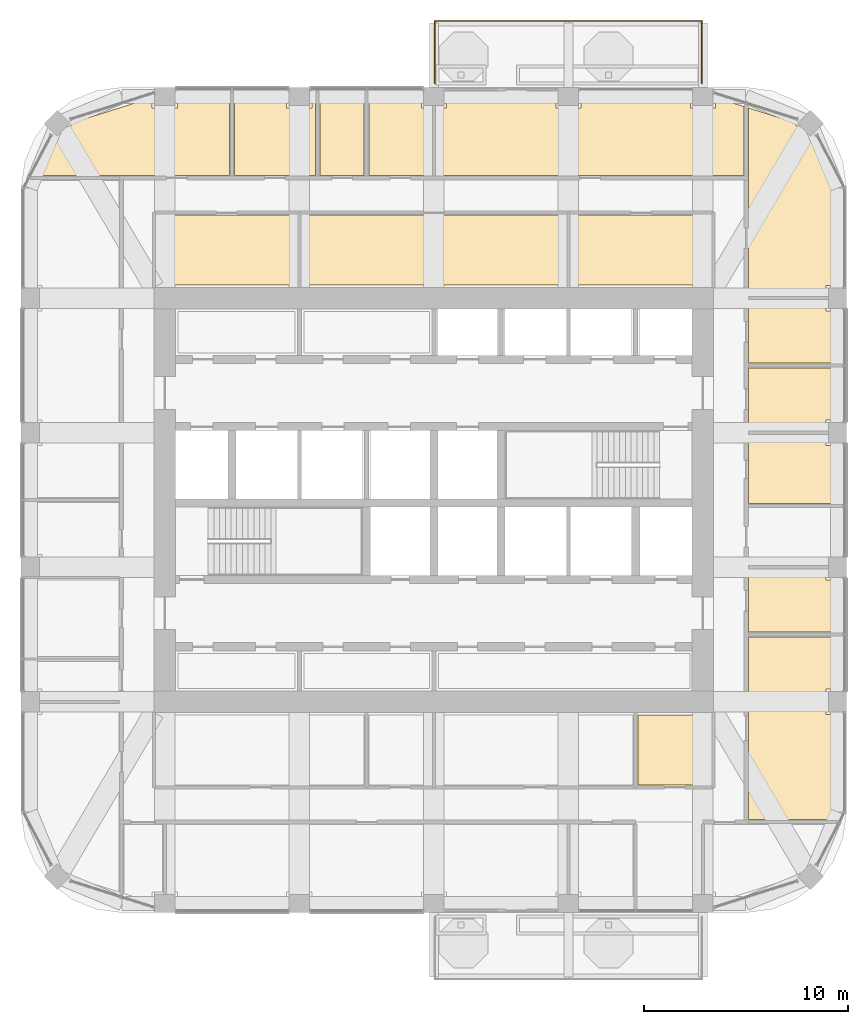
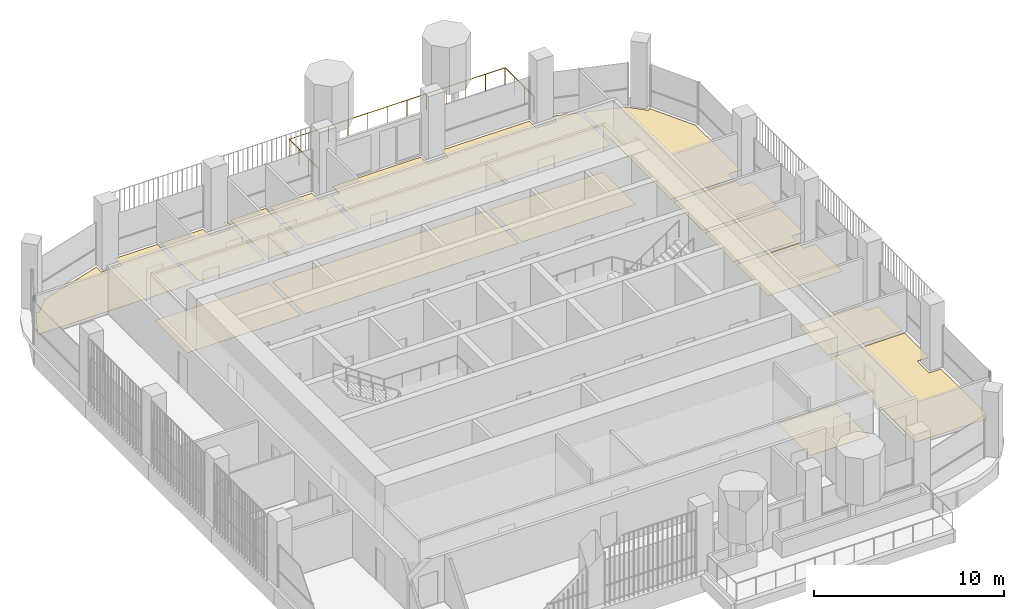
# One storey, part 20 of 21: 15 coverings, 1 railing.
"""IFC4 building model written with IfcOpenShell, lengths in metres."""

from ifc_helpers import new_model, si_unit, direction, frame, origin, place, context, subcontext, project, spatial, polyline, outline, extrude, material, layer, layer_set, type_object, element, save


model = new_model("IFC4")

# Units and contexts
model_context = context("Model", 3, precision=1e-05, world=origin(), true_north=direction((0.0, 1.0)))
body_context = subcontext(model_context, "Body", "Model", "MODEL_VIEW")
ifc_project = project(units=[si_unit("LENGTHUNIT", "METRE"), si_unit("AREAUNIT", "SQUARE_METRE"), si_unit("VOLUMEUNIT", "CUBIC_METRE"), si_unit("PLANEANGLEUNIT", "RADIAN"), si_unit("MASSUNIT", "GRAM", prefix="KILO")], contexts=[model_context])

# Site, building, storey
site_placement = place(None, origin())
site = spatial("IfcSite", under=ifc_project, at=site_placement, CompositionType="ELEMENT")
building_placement = place(site_placement, origin())
building = spatial("IfcBuilding", under=site, at=building_placement, Name="Cobogo Forest Laboratory Tower", CompositionType="ELEMENT")
storey_placement = place(building_placement, frame((0.0, 0.0, 275.39990234375)))
storey = spatial("IfcBuildingStorey", under=building, at=storey_placement, Name="L63", CompositionType="ELEMENT", Elevation=275.39990234375)

# Railing
ifc_material_1 = material(Name="Laminated glass balustrade", Category="glass")
railing_type = type_object("IfcRailingType", Name="BG1 glass balustrade 1100", PredefinedType="GUARDRAIL", material=ifc_material_1)
railing_placement = place(storey_placement, frame((26.449951171875, 43.550048828125, 0.0)))
element("IfcRailing", 1, at=railing_placement, inside=storey, type_object=railing_type, Name="Balcony balustrade BAL-N1 L63", PredefinedType="GUARDRAIL", context=body_context, shape_type="SweptSolid", body=[
    extrude(outline(polyline([(0.022216796875, 0.00927734375), (0.00927734375, 0.022216796875), (-0.00927734375, 0.022216796875), (-0.022216796875, 0.00927734375), (-0.022216796875, -0.00927734375), (-0.00927734375, -0.022216796875), (0.00927734375, -0.022216796875), (0.022216796875, -0.00927734375), (0.022216796875, 0.00927734375)])), frame((0.0, 0.0, 1.077880859375), z_axis=(0.0, 1.0, 0.0), x_axis=(-1.0, 0.0, 0.0)), (0.0, 0.0, 1.0), 3.050048828125),
    extrude(outline(polyline([(0.022216796875, 0.00927734375), (0.00927734375, 0.022216796875), (-0.00927734375, 0.022216796875), (-0.022216796875, 0.00927734375), (-0.022216796875, -0.00927734375), (-0.00927734375, -0.022216796875), (0.00927734375, -0.022216796875), (0.022216796875, -0.00927734375), (0.022216796875, 0.00927734375)])), frame((0.0, 3.050048828125, 1.077880859375), z_axis=(1.0, 0.0, 0.0), x_axis=(0.0, 1.0, 0.0)), (0.0, 0.0, 1.0), 13.10009765625),
    extrude(outline(polyline([(0.022216796875, 0.00927734375), (0.00927734375, 0.022216796875), (-0.00927734375, 0.022216796875), (-0.022216796875, 0.00927734375), (-0.022216796875, -0.00927734375), (-0.00927734375, -0.022216796875), (0.00927734375, -0.022216796875), (0.022216796875, -0.00927734375), (0.022216796875, 0.00927734375)])), frame((13.10009765625, 3.050048828125, 1.077880859375), z_axis=(0.0, -1.0, 0.0), x_axis=(1.0, 0.0, 0.0)), (0.0, 0.0, 1.0), 3.050048828125),
    extrude(outline(polyline([(0.019287109375, 0.008056640625), (0.008056640625, 0.019287109375), (-0.008056640625, 0.019287109375), (-0.019287109375, 0.008056640625), (-0.019287109375, -0.008056640625), (-0.008056640625, -0.019287109375), (0.008056640625, -0.019287109375), (0.019287109375, -0.008056640625), (0.019287109375, 0.008056640625)])), origin(), (0.0, 0.0, 1.0), 1.077880859375),
    extrude(outline(polyline([(0.019287109375, 0.008056640625), (0.008056640625, 0.019287109375), (-0.008056640625, 0.019287109375), (-0.019287109375, 0.008056640625), (-0.019287109375, -0.008056640625), (-0.008056640625, -0.019287109375), (0.008056640625, -0.019287109375), (0.019287109375, -0.008056640625), (0.019287109375, 0.008056640625)])), frame((0.0, 1.0166015625, 0.0)), (0.0, 0.0, 1.0), 1.077880859375),
    extrude(outline(polyline([(0.019287109375, 0.008056640625), (0.008056640625, 0.019287109375), (-0.008056640625, 0.019287109375), (-0.019287109375, 0.008056640625), (-0.019287109375, -0.008056640625), (-0.008056640625, -0.019287109375), (0.008056640625, -0.019287109375), (0.019287109375, -0.008056640625), (0.019287109375, 0.008056640625)])), frame((0.0, 2.033447265625, 0.0)), (0.0, 0.0, 1.0), 1.077880859375),
    extrude(outline(polyline([(0.019287109375, 0.008056640625), (0.008056640625, 0.019287109375), (-0.008056640625, 0.019287109375), (-0.019287109375, 0.008056640625), (-0.019287109375, -0.008056640625), (-0.008056640625, -0.019287109375), (0.008056640625, -0.019287109375), (0.019287109375, -0.008056640625), (0.019287109375, 0.008056640625)])), frame((0.0, 3.050048828125, 0.0)), (0.0, 0.0, 1.0), 1.077880859375),
    extrude(outline(polyline([(0.019287109375, 0.008056640625), (0.008056640625, 0.019287109375), (-0.008056640625, 0.019287109375), (-0.019287109375, 0.008056640625), (-0.019287109375, -0.008056640625), (-0.008056640625, -0.019287109375), (0.008056640625, -0.019287109375), (0.019287109375, -0.008056640625), (0.019287109375, 0.008056640625)])), frame((1.19091796875, 3.050048828125, 0.0)), (0.0, 0.0, 1.0), 1.077880859375),
    extrude(outline(polyline([(0.019287109375, 0.008056640625), (0.008056640625, 0.019287109375), (-0.008056640625, 0.019287109375), (-0.019287109375, 0.008056640625), (-0.019287109375, -0.008056640625), (-0.008056640625, -0.019287109375), (0.008056640625, -0.019287109375), (0.019287109375, -0.008056640625), (0.019287109375, 0.008056640625)])), frame((2.3818359375, 3.050048828125, 0.0)), (0.0, 0.0, 1.0), 1.077880859375),
    extrude(outline(polyline([(0.019287109375, 0.008056640625), (0.008056640625, 0.019287109375), (-0.008056640625, 0.019287109375), (-0.019287109375, 0.008056640625), (-0.019287109375, -0.008056640625), (-0.008056640625, -0.019287109375), (0.008056640625, -0.019287109375), (0.019287109375, -0.008056640625), (0.019287109375, 0.008056640625)])), frame((3.57275390625, 3.050048828125, 0.0)), (0.0, 0.0, 1.0), 1.077880859375),
    extrude(outline(polyline([(0.019287109375, 0.008056640625), (0.008056640625, 0.019287109375), (-0.008056640625, 0.019287109375), (-0.019287109375, 0.008056640625), (-0.019287109375, -0.008056640625), (-0.008056640625, -0.019287109375), (0.008056640625, -0.019287109375), (0.019287109375, -0.008056640625), (0.019287109375, 0.008056640625)])), frame((4.763671875, 3.050048828125, 0.0)), (0.0, 0.0, 1.0), 1.077880859375),
    extrude(outline(polyline([(0.019287109375, 0.008056640625), (0.008056640625, 0.019287109375), (-0.008056640625, 0.019287109375), (-0.019287109375, 0.008056640625), (-0.019287109375, -0.008056640625), (-0.008056640625, -0.019287109375), (0.008056640625, -0.019287109375), (0.019287109375, -0.008056640625), (0.019287109375, 0.008056640625)])), frame((5.95458984375, 3.050048828125, 0.0)), (0.0, 0.0, 1.0), 1.077880859375),
    extrude(outline(polyline([(0.019287109375, 0.008056640625), (0.008056640625, 0.019287109375), (-0.008056640625, 0.019287109375), (-0.019287109375, 0.008056640625), (-0.019287109375, -0.008056640625), (-0.008056640625, -0.019287109375), (0.008056640625, -0.019287109375), (0.019287109375, -0.008056640625), (0.019287109375, 0.008056640625)])), frame((7.1455078125, 3.050048828125, 0.0)), (0.0, 0.0, 1.0), 1.077880859375),
    extrude(outline(polyline([(0.019287109375, 0.008056640625), (0.008056640625, 0.019287109375), (-0.008056640625, 0.019287109375), (-0.019287109375, 0.008056640625), (-0.019287109375, -0.008056640625), (-0.008056640625, -0.019287109375), (0.008056640625, -0.019287109375), (0.019287109375, -0.008056640625), (0.019287109375, 0.008056640625)])), frame((8.33642578125, 3.050048828125, 0.0)), (0.0, 0.0, 1.0), 1.077880859375),
    extrude(outline(polyline([(0.019287109375, 0.008056640625), (0.008056640625, 0.019287109375), (-0.008056640625, 0.019287109375), (-0.019287109375, 0.008056640625), (-0.019287109375, -0.008056640625), (-0.008056640625, -0.019287109375), (0.008056640625, -0.019287109375), (0.019287109375, -0.008056640625), (0.019287109375, 0.008056640625)])), frame((9.52734375, 3.050048828125, 0.0)), (0.0, 0.0, 1.0), 1.077880859375),
    extrude(outline(polyline([(0.019287109375, 0.008056640625), (0.008056640625, 0.019287109375), (-0.008056640625, 0.019287109375), (-0.019287109375, 0.008056640625), (-0.019287109375, -0.008056640625), (-0.008056640625, -0.019287109375), (0.008056640625, -0.019287109375), (0.019287109375, -0.008056640625), (0.019287109375, 0.008056640625)])), frame((10.71826171875, 3.050048828125, 0.0)), (0.0, 0.0, 1.0), 1.077880859375),
    extrude(outline(polyline([(0.019287109375, 0.008056640625), (0.008056640625, 0.019287109375), (-0.008056640625, 0.019287109375), (-0.019287109375, 0.008056640625), (-0.019287109375, -0.008056640625), (-0.008056640625, -0.019287109375), (0.008056640625, -0.019287109375), (0.019287109375, -0.008056640625), (0.019287109375, 0.008056640625)])), frame((11.9091796875, 3.050048828125, 0.0)), (0.0, 0.0, 1.0), 1.077880859375),
    extrude(outline(polyline([(0.019287109375, 0.008056640625), (0.008056640625, 0.019287109375), (-0.008056640625, 0.019287109375), (-0.019287109375, 0.008056640625), (-0.019287109375, -0.008056640625), (-0.008056640625, -0.019287109375), (0.008056640625, -0.019287109375), (0.019287109375, -0.008056640625), (0.019287109375, 0.008056640625)])), frame((13.10009765625, 3.050048828125, 0.0)), (0.0, 0.0, 1.0), 1.077880859375),
    extrude(outline(polyline([(0.019287109375, 0.008056640625), (0.008056640625, 0.019287109375), (-0.008056640625, 0.019287109375), (-0.019287109375, 0.008056640625), (-0.019287109375, -0.008056640625), (-0.008056640625, -0.019287109375), (0.008056640625, -0.019287109375), (0.019287109375, -0.008056640625), (0.019287109375, 0.008056640625)])), frame((13.10009765625, 2.033447265625, 0.0)), (0.0, 0.0, 1.0), 1.077880859375),
    extrude(outline(polyline([(0.019287109375, 0.008056640625), (0.008056640625, 0.019287109375), (-0.008056640625, 0.019287109375), (-0.019287109375, 0.008056640625), (-0.019287109375, -0.008056640625), (-0.008056640625, -0.019287109375), (0.008056640625, -0.019287109375), (0.019287109375, -0.008056640625), (0.019287109375, 0.008056640625)])), frame((13.10009765625, 1.0166015625, 0.0)), (0.0, 0.0, 1.0), 1.077880859375),
    extrude(outline(polyline([(0.019287109375, 0.008056640625), (0.008056640625, 0.019287109375), (-0.008056640625, 0.019287109375), (-0.019287109375, 0.008056640625), (-0.019287109375, -0.008056640625), (-0.008056640625, -0.019287109375), (0.008056640625, -0.019287109375), (0.019287109375, -0.008056640625), (0.019287109375, 0.008056640625)])), frame((13.10009765625, 0.0, 0.0)), (0.0, 0.0, 1.0), 1.077880859375),
])

# Coverings
ifc_material_2 = material(Name="Carpet tile on raised access floor", Category="flooring")
ifc_layer_1 = layer(ifc_material_2, 0.008056640625)
ifc_layer_set_1 = layer_set([ifc_layer_1], Name="CT1 carpet tile floor 8")
covering_type_1 = type_object("IfcCoveringType", Name="CT1 carpet tile floor 8", PredefinedType="FLOORING", material=ifc_layer_set_1)
covering_1_placement = place(storey_placement, origin())
element("IfcCovering", 2, at=covering_1_placement, inside=storey, type_object=covering_type_1, Name="Carpet floor L63-01", PredefinedType="FLOORING", context=body_context, shape_type="SweptSolid", body=[
    extrude(outline(polyline([(19.679931640625, 33.64501953125), (12.794921875, 33.64501953125), (12.794921875, 37.080078125), (19.679931640625, 37.080078125), (19.679931640625, 33.64501953125)])), origin(), (0.0, 0.0, 1.0), 0.008056640625),
])
covering_2_placement = place(storey_placement, origin())
element("IfcCovering", 3, at=covering_2_placement, inside=storey, type_object=covering_type_1, Name="Carpet floor L63-02", PredefinedType="FLOORING", context=body_context, shape_type="SweptSolid", body=[
    extrude(outline(polyline([(32.8798828125, 33.64501953125), (19.919921875, 33.64501953125), (19.919921875, 37.080078125), (32.8798828125, 37.080078125), (32.8798828125, 33.64501953125)])), origin(), (0.0, 0.0, 1.0), 0.008056640625),
])
covering_3_placement = place(storey_placement, origin())
element("IfcCovering", 4, at=covering_3_placement, inside=storey, type_object=covering_type_1, Name="Carpet floor L63-03", PredefinedType="FLOORING", context=body_context, shape_type="SweptSolid", body=[
    extrude(outline(polyline([(40.0048828125, 33.64501953125), (33.1201171875, 33.64501953125), (33.1201171875, 37.080078125), (40.0048828125, 37.080078125), (40.0048828125, 33.64501953125)])), origin(), (0.0, 0.0, 1.0), 0.008056640625),
])
covering_4_placement = place(storey_placement, origin())
element("IfcCovering", 5, at=covering_4_placement, inside=storey, type_object=covering_type_1, Name="Carpet floor L63-07", PredefinedType="FLOORING", context=body_context, shape_type="SweptSolid", body=[
    extrude(outline(polyline([(40.0048828125, 9.1201171875), (36.419921875, 9.1201171875), (36.419921875, 12.554931640625), (40.0048828125, 12.554931640625), (40.0048828125, 9.1201171875)])), origin(), (0.0, 0.0, 1.0), 0.008056640625),
])
covering_5_placement = place(storey_placement, origin())
element("IfcCovering", 6, at=covering_5_placement, inside=storey, type_object=covering_type_1, Name="Carpet floor L63-13", PredefinedType="FLOORING", context=body_context, shape_type="SweptSolid", body=[
    extrude(outline(polyline([(41.844970703125, 19.679931640625), (45.6298828125, 19.679931640625), (45.6298828125, 19.179931640625), (46.35009765625, 19.179931640625), (46.35009765625, 16.6201171875), (41.844970703125, 16.6201171875), (41.844970703125, 19.679931640625)])), origin(), (0.0, 0.0, 1.0), 0.008056640625),
])
covering_6_placement = place(storey_placement, origin())
element("IfcCovering", 7, at=covering_6_placement, inside=storey, type_object=covering_type_1, Name="Carpet floor L63-16", PredefinedType="FLOORING", context=body_context, shape_type="SweptSolid", body=[
    extrude(outline(polyline([(41.844970703125, 29.580078125), (46.35009765625, 29.580078125), (46.35009765625, 27.02001953125), (45.6298828125, 27.02001953125), (45.6298828125, 26.52001953125), (41.844970703125, 26.52001953125), (41.844970703125, 29.580078125)])), origin(), (0.0, 0.0, 1.0), 0.008056640625),
])
covering_7_placement = place(storey_placement, origin())
element("IfcCovering", 8, at=covering_7_placement, inside=storey, type_object=covering_type_1, Name="Carpet floor L63-17", PredefinedType="FLOORING", context=body_context, shape_type="SweptSolid", body=[
    extrude(outline(polyline([(41.844970703125, 32.8798828125), (45.6298828125, 32.8798828125), (45.6298828125, 32.3798828125), (46.35009765625, 32.3798828125), (46.35009765625, 29.820068359375), (41.844970703125, 29.820068359375), (41.844970703125, 32.8798828125)])), origin(), (0.0, 0.0, 1.0), 0.008056640625),
])
covering_8_placement = place(storey_placement, origin())
element("IfcCovering", 9, at=covering_8_placement, inside=storey, type_object=covering_type_1, Name="Carpet floor L63-18", PredefinedType="FLOORING", context=body_context, shape_type="SweptSolid", body=[
    extrude(outline(polyline([(41.844970703125, 42.331298828125), (44.10986328125, 41.615966796875), (44.075927734375, 41.58203125), (44.882080078125, 40.77587890625), (45.010986328125, 40.905029296875), (46.35009765625, 38.350830078125), (46.35009765625, 33.6201171875), (45.6298828125, 33.6201171875), (45.6298828125, 33.1201171875), (41.844970703125, 33.1201171875), (41.844970703125, 42.331298828125)])), origin(), (0.0, 0.0, 1.0), 0.008056640625),
])
covering_9_placement = place(storey_placement, origin())
element("IfcCovering", 10, at=covering_9_placement, inside=storey, type_object=covering_type_1, Name="Carpet floor L63-19", PredefinedType="FLOORING", context=body_context, shape_type="SweptSolid", body=[
    extrude(outline(polyline([(6.80078125, 39.02001953125), (7.788818359375, 40.905029296875), (7.91796875, 40.77587890625), (8.72412109375, 41.58203125), (8.68994140625, 41.615966796875), (12.580078125, 42.844482421875), (12.580078125, 42.330078125), (13.820068359375, 42.330078125), (13.820068359375, 43.050048828125), (16.3798828125, 43.050048828125), (16.3798828125, 39.02001953125), (6.80078125, 39.02001953125)])), origin(), (0.0, 0.0, 1.0), 0.008056640625),
])
covering_10_placement = place(storey_placement, origin())
element("IfcCovering", 11, at=covering_10_placement, inside=storey, type_object=covering_type_1, Name="Carpet floor L63-20", PredefinedType="FLOORING", context=body_context, shape_type="SweptSolid", body=[
    extrude(outline(polyline([(16.6201171875, 39.02001953125), (16.6201171875, 43.050048828125), (19.179931640625, 43.050048828125), (19.179931640625, 42.330078125), (20.419921875, 42.330078125), (20.419921875, 43.050048828125), (20.580078125, 43.050048828125), (20.580078125, 39.02001953125), (16.6201171875, 39.02001953125)])), origin(), (0.0, 0.0, 1.0), 0.008056640625),
])
covering_11_placement = place(storey_placement, origin())
element("IfcCovering", 12, at=covering_11_placement, inside=storey, type_object=covering_type_1, Name="Carpet floor L63-22", PredefinedType="FLOORING", context=body_context, shape_type="SweptSolid", body=[
    extrude(outline(polyline([(23.219970703125, 39.02001953125), (23.219970703125, 43.050048828125), (25.780029296875, 43.050048828125), (25.780029296875, 42.330078125), (26.280029296875, 42.330078125), (26.280029296875, 39.02001953125), (23.219970703125, 39.02001953125)])), origin(), (0.0, 0.0, 1.0), 0.008056640625),
])
covering_12_placement = place(storey_placement, origin())
element("IfcCovering", 13, at=covering_12_placement, inside=storey, type_object=covering_type_1, Name="Carpet floor L63-23", PredefinedType="FLOORING", context=body_context, shape_type="SweptSolid", body=[
    extrude(outline(polyline([(26.52001953125, 39.02001953125), (26.52001953125, 42.330078125), (27.02001953125, 42.330078125), (27.02001953125, 43.050048828125), (32.3798828125, 43.050048828125), (32.3798828125, 42.330078125), (33.6201171875, 42.330078125), (33.6201171875, 43.050048828125), (38.97998046875, 43.050048828125), (38.97998046875, 42.330078125), (40.219970703125, 42.330078125), (40.219970703125, 42.844482421875), (41.60498046875, 42.406982421875), (41.60498046875, 39.02001953125), (26.52001953125, 39.02001953125)])), origin(), (0.0, 0.0, 1.0), 0.008056640625),
])
ifc_material_3 = material(Name="Epoxy resin flooring", Category="flooring")
ifc_layer_2 = layer(ifc_material_3, 0.00390625)
ifc_layer_set_2 = layer_set([ifc_layer_2], Name="LF1 epoxy laboratory floor 4")
covering_type_2 = type_object("IfcCoveringType", Name="LF1 epoxy laboratory floor 4", PredefinedType="FLOORING", material=ifc_layer_set_2)
covering_13_placement = place(storey_placement, origin())
element("IfcCovering", 14, at=covering_13_placement, inside=storey, type_object=covering_type_2, Name="Epoxy laboratory floor L63-12", PredefinedType="FLOORING", context=body_context, shape_type="SweptSolid", body=[
    extrude(outline(polyline([(41.844970703125, 16.3798828125), (46.35009765625, 16.3798828125), (46.35009765625, 13.820068359375), (45.6298828125, 13.820068359375), (45.6298828125, 12.580078125), (46.35009765625, 12.580078125), (46.35009765625, 7.84912109375), (46.125, 7.419921875), (41.844970703125, 7.419921875), (41.844970703125, 16.3798828125)])), origin(), (0.0, 0.0, 1.0), 0.004150390625),
])
ifc_material_4 = material(Name="Static-dissipative vinyl flooring", Category="flooring")
ifc_layer_3 = layer(ifc_material_4, 0.0029296875)
ifc_layer_set_3 = layer_set([ifc_layer_3], Name="SD1 static-dissipative vinyl floor 3")
covering_type_3 = type_object("IfcCoveringType", Name="SD1 static-dissipative vinyl floor 3", PredefinedType="FLOORING", material=ifc_layer_set_3)
covering_14_placement = place(storey_placement, origin())
element("IfcCovering", 15, at=covering_14_placement, inside=storey, type_object=covering_type_3, Name="Static-dissipative floor L63-15", PredefinedType="FLOORING", context=body_context, shape_type="SweptSolid", body=[
    extrude(outline(polyline([(41.844970703125, 26.280029296875), (45.6298828125, 26.280029296875), (45.6298828125, 25.780029296875), (46.35009765625, 25.780029296875), (46.35009765625, 22.919921875), (41.844970703125, 22.919921875), (41.844970703125, 26.280029296875)])), origin(), (0.0, 0.0, 1.0), 0.003173828125),
])
ifc_material_5 = material(Name="Ceramic floor tile", Category="flooring")
ifc_layer_4 = layer(ifc_material_5, 0.010009765625)
ifc_layer_set_4 = layer_set([ifc_layer_4], Name="TF1 ceramic tile floor 10")
covering_type_4 = type_object("IfcCoveringType", Name="TF1 ceramic tile floor 10", PredefinedType="FLOORING", material=ifc_layer_set_4)
covering_15_placement = place(storey_placement, origin())
element("IfcCovering", 16, at=covering_15_placement, inside=storey, type_object=covering_type_4, Name="Tile floor L63-21", PredefinedType="FLOORING", context=body_context, shape_type="SweptSolid", body=[
    extrude(outline(polyline([(22.97998046875, 39.02001953125), (20.820068359375, 39.02001953125), (20.820068359375, 43.050048828125), (22.97998046875, 43.050048828125), (22.97998046875, 39.02001953125)])), origin(), (0.0, 0.0, 1.0), 0.010009765625),
])

save(model, "model.ifc")
